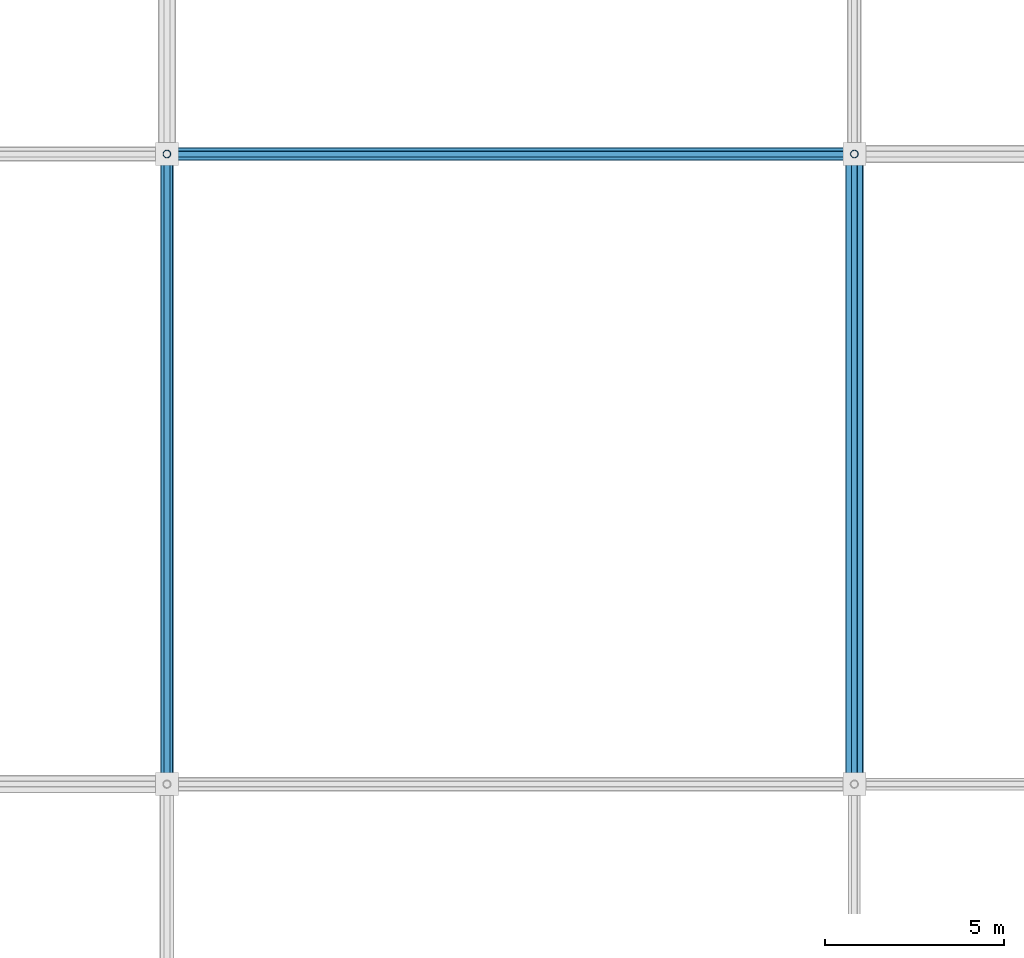
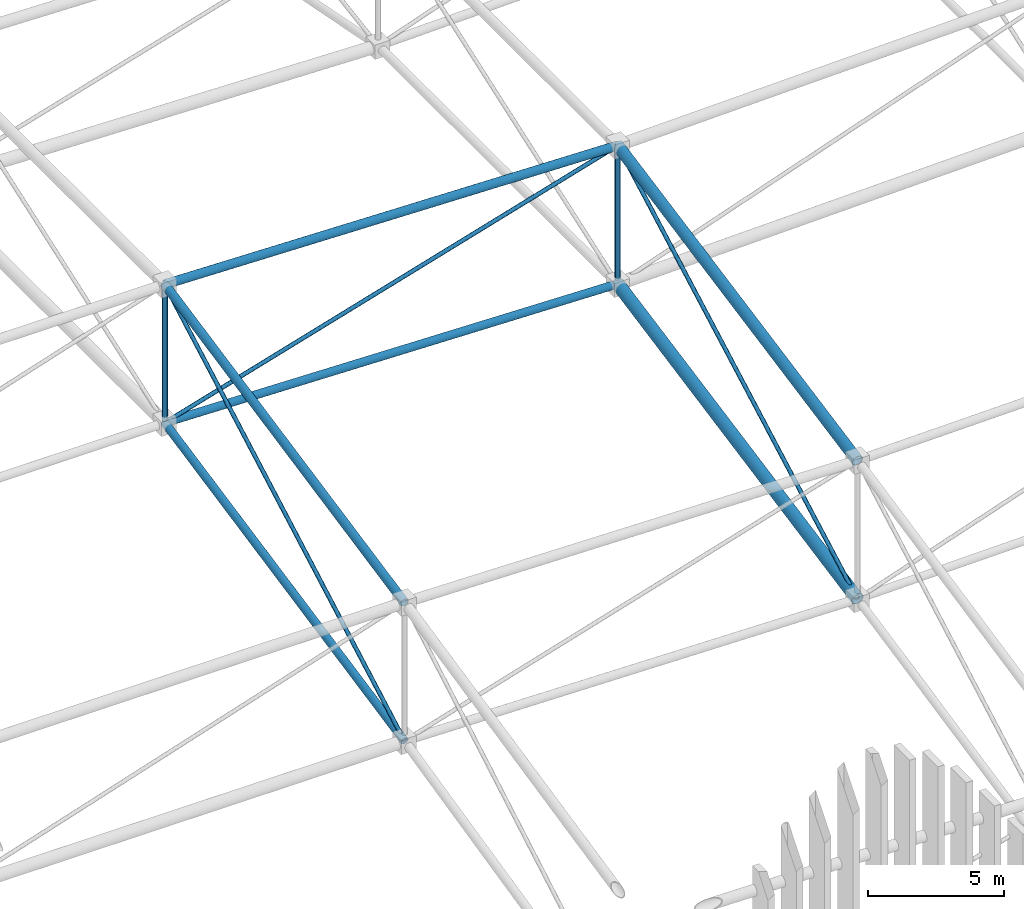
# One storey, part 54 of 193: 11 members.
"""IFC4 building model written with IfcOpenShell, lengths in metres."""

import ifcopenshell
import ifcopenshell.guid

model = None  # the IFC model being written
_history = None  # IfcOwnerHistory: only IFC2X3 demands one
_inside = {}  # id of a spatial element -> (the spatial element, [elements in it])
_under = {}  # id of a project, library or spatial element -> (it, [spatial elements below it])
_declared = {}  # id of a project -> (the project, [libraries it declares])
_typed = {}  # id of a type object -> (the type object, [elements of that type])
_made_of = {}  # id of a material, layer set ... -> (it, [elements and type objects made of it])


def new_model(schema):
    """Start an empty IFC model of exactly this schema.

    Asked for "IFC4X3", IfcOpenShell would pick the latest addendum, in which some entities
    have other attributes; the version numbers below select the first issue.
    IFC2X3 requires an IfcOwnerHistory on every rooted entity: one is made here for all.
    """
    global model, _history
    if schema == "IFC4X3":
        model = ifcopenshell.file(schema_version=(4, 3, 0, 0))
    else:
        model = ifcopenshell.file(schema=schema)
    _inside.clear()
    _under.clear()
    _declared.clear()
    _typed.clear()
    _made_of.clear()
    _history = None
    if model.schema == "IFC2X3":
        org = make("IfcOrganization", Name="unknown")
        user = make(
            "IfcPersonAndOrganization",
            ThePerson=make("IfcPerson", FamilyName="unknown"),
            TheOrganization=org,
        )
        app = make(
            "IfcApplication",
            ApplicationDeveloper=org,
            Version="unknown",
            ApplicationFullName="unknown",
            ApplicationIdentifier="unknown",
        )
        _history = make(
            "IfcOwnerHistory",
            OwningUser=user,
            OwningApplication=app,
            ChangeAction="ADDED",
            CreationDate=0,
        )
    return model


def make(cls, **values):
    """One entity of the class cls with the attributes given. An attribute that is None is left unset."""
    return model.create_entity(
        cls, **{name: value for name, value in values.items() if value is not None}
    )


def rooted(cls, **values):
    """An entity with a GlobalId (a new one), such as an element, a storey or a relation."""
    return make(cls, GlobalId=ifcopenshell.guid.new(), OwnerHistory=_history, **values)


def si_unit(unit_type, name, prefix=None):
    """IfcSIUnit, for example si_unit("LENGTHUNIT", "METRE", prefix="MILLI")."""
    return make("IfcSIUnit", UnitType=unit_type, Prefix=prefix, Name=name)


def assignment(units):
    """IfcUnitAssignment: the units of a project."""
    return None if units is None else make("IfcUnitAssignment", Units=units)


def point(xyz):
    """IfcCartesianPoint."""
    return None if xyz is None else make("IfcCartesianPoint", Coordinates=xyz)


def direction(xyz):
    """IfcDirection."""
    return None if xyz is None else make("IfcDirection", DirectionRatios=xyz)


def frame(location, z_axis=None, x_axis=None):
    """IfcAxis2Placement3D, a coordinate frame: its origin and axes. An axis left out is left unset."""
    return make(
        "IfcAxis2Placement3D",
        Location=point(location),
        Axis=direction(z_axis),
        RefDirection=direction(x_axis),
    )


def frame_2d(location, x_axis=None):
    """IfcAxis2Placement2D, a coordinate frame in the plane: its origin and x axis."""
    return make(
        "IfcAxis2Placement2D", Location=point(location), RefDirection=direction(x_axis)
    )


def origin():
    """The frame at (0, 0, 0) with its axes left unset."""
    return frame((0.0, 0.0, 0.0))


def origin_2d():
    """The frame at (0, 0) in the plane with its x axis left unset."""
    return frame_2d((0.0, 0.0))


def place(relative_to, where):
    """IfcLocalPlacement: puts the frame where relative to a parent placement (None: the world)."""
    return make(
        "IfcLocalPlacement", PlacementRelTo=relative_to, RelativePlacement=where
    )


def context(
    kind, dimensions, precision=None, world=None, true_north=None, identifier=None
):
    """IfcGeometricRepresentationContext, for example the 3D "Model" context."""
    return make(
        "IfcGeometricRepresentationContext",
        ContextIdentifier=identifier,
        ContextType=kind,
        CoordinateSpaceDimension=dimensions,
        Precision=precision,
        WorldCoordinateSystem=world,
        TrueNorth=true_north,
    )


def subcontext(parent, identifier, kind, view, scale=None):
    """IfcGeometricRepresentationSubContext, for example "Body" below "Model"."""
    return make(
        "IfcGeometricRepresentationSubContext",
        ContextIdentifier=identifier,
        ContextType=kind,
        ParentContext=parent,
        TargetScale=scale,
        TargetView=view,
    )


def project(units=None, contexts=None):
    """IfcProject with its units and contexts."""
    return rooted(
        "IfcProject",
        Name="project",
        RepresentationContexts=contexts,
        UnitsInContext=assignment(units),
    )


def spatial(cls, under=None, at=None, **own):
    """A site, building, storey or space (cls), placed at a placement, below another one or the project."""
    s = rooted(cls, ObjectPlacement=at, **own)
    if under is not None:
        _under.setdefault(under.id(), (under, []))[1].append(s)
    return s


def profile(cls, at=None, kind="AREA", **sizes):
    """A parametric profile (cls). Its sizes go by their IFC names, for example OverallWidth=200.0."""
    return make(cls, ProfileType=kind, Position=at, **sizes)


def hollow_circle(**sizes):
    """IfcCircleHollowProfileDef."""
    return profile("IfcCircleHollowProfileDef", **sizes)


def extrude(swept, where, along, depth):
    """IfcExtrudedAreaSolid: the profile swept, set in the frame where, extruded along a direction by depth."""
    return make(
        "IfcExtrudedAreaSolid",
        SweptArea=swept,
        Position=where,
        ExtrudedDirection=direction(along),
        Depth=depth,
    )


def shape(context_of_items, identifier, shape_type, items):
    """IfcShapeRepresentation: the items that make up one representation, for example the "Body"."""
    return make(
        "IfcShapeRepresentation",
        ContextOfItems=context_of_items,
        RepresentationIdentifier=identifier,
        RepresentationType=shape_type,
        Items=items,
    )


def material(Name=None, Category=None):
    """IfcMaterial."""
    return make("IfcMaterial", Name=Name, Category=Category)


def material_profile(
    of_material, cross_section, Name=None, Category=None, Priority=None
):
    """IfcMaterialProfile: a cross section and its material."""
    return make(
        "IfcMaterialProfile",
        Name=Name,
        Material=of_material,
        Profile=cross_section,
        Priority=Priority,
        Category=Category,
    )


def profile_set(profiles, Name=None, composite=None):
    """IfcMaterialProfileSet."""
    return make(
        "IfcMaterialProfileSet",
        Name=Name,
        MaterialProfiles=profiles,
        CompositeProfile=composite,
    )


def made_of(thing, what):
    """Note that an element or type object is made of a material, layer set ...; save() writes the relation."""
    if what is not None:
        _made_of.setdefault(what.id(), (what, []))[1].append(thing)
    return thing


def type_object(cls, material=None, **own):
    """A type object (cls), such as IfcWallType, which elements share."""
    return made_of(rooted(cls, **own), material)


def element(
    cls,
    number,
    at=None,
    inside=None,
    cuts=None,
    type_object=None,
    material=None,
    context=None,
    identifier="Body",
    shape_type=None,
    held_by="IfcProductDefinitionShape",
    body=None,
    shapes=None,
    **own,
):
    """One element of the class cls, such as IfcWall. Its Tag is "e" and its number.

    at: its placement. inside: the storey or other place that contains it. cuts: it is an
    opening in that element (IfcRelVoidsElement). A single representation is given by context,
    identifier, shape_type and body (its items); several are given by shapes. held_by: the class
    of the entity that holds the representations. save() writes the other relations.
    """
    e = rooted(cls, Tag="e%d" % number, ObjectPlacement=at, **own)
    if body is not None:
        shapes = [shape(context, identifier, shape_type, body)]
    if shapes is not None:
        e.Representation = make(held_by, Representations=shapes)
    if inside is not None:
        _inside.setdefault(inside.id(), (inside, []))[1].append(e)
    if cuts is not None:
        rooted(
            "IfcRelVoidsElement", RelatingBuildingElement=cuts, RelatedOpeningElement=e
        )
    if type_object is not None:
        _typed.setdefault(type_object.id(), (type_object, []))[1].append(e)
    return made_of(e, material)


def aggregate(whole, parts):
    """IfcRelAggregates: a whole, such as a stair, and the parts it consists of."""
    return rooted("IfcRelAggregates", RelatingObject=whole, RelatedObjects=parts)


def save(model, path):
    """Write the relations noted so far, then the file.

    IfcRelAggregates (storeys below a building ...), IfcRelContainedInSpatialStructure (elements
    in a storey), IfcRelDefinesByType, IfcRelAssociatesMaterial and IfcRelDeclares: one each for
    every whole, place, type object, material and project.
    """
    for whole, parts in _under.values():
        aggregate(whole, parts)
    for where, things in _inside.values():
        rooted(
            "IfcRelContainedInSpatialStructure",
            RelatedElements=things,
            RelatingStructure=where,
        )
    for kind, things in _typed.values():
        rooted("IfcRelDefinesByType", RelatedObjects=things, RelatingType=kind)
    for what, things in _made_of.values():
        rooted("IfcRelAssociatesMaterial", RelatedObjects=things, RelatingMaterial=what)
    for by, libraries in _declared.values():
        rooted("IfcRelDeclares", RelatingContext=by, RelatedDefinitions=libraries)
    model.write(path)


model = new_model("IFC4")

# Units and contexts
model_context = context("Model", 3, precision=1e-05, world=origin(), true_north=direction((0.0, 1.0)))
body_context = subcontext(model_context, "Body", "Model", "MODEL_VIEW")
ifc_project = project(units=[si_unit("LENGTHUNIT", "METRE"), si_unit("AREAUNIT", "SQUARE_METRE"), si_unit("VOLUMEUNIT", "CUBIC_METRE"), si_unit("PLANEANGLEUNIT", "RADIAN"), si_unit("MASSUNIT", "GRAM", prefix="KILO")], contexts=[model_context])

# Site, building, storey
site_placement = place(None, origin())
site = spatial("IfcSite", under=ifc_project, at=site_placement, CompositionType="ELEMENT")
building_placement = place(site_placement, origin())
building = spatial("IfcBuilding", under=site, at=building_placement, Name="Danafjord Basin Convention Centre", CompositionType="ELEMENT")
storey_placement = place(building_placement, frame((0.0, 0.0, 11.39990234375)))
storey = spatial("IfcBuildingStorey", under=building, at=storey_placement, Name="L02", CompositionType="ELEMENT", Elevation=11.39990234375)

# Members
ifc_material = material(Name="Steel S355", Category="steel")
ifc_material_profile_1 = material_profile(ifc_material, hollow_circle(Radius=0.161865234375, WallThickness=0.01611328125, at=origin_2d()), Name="CHS 323.9x16.0")
ifc_profile_set_1 = profile_set([ifc_material_profile_1], Name="Steel S355")
member_type_1 = type_object("IfcMemberType", Name="MEM-CH-CHS324", PredefinedType="CHORD", material=ifc_profile_set_1)
member_1_placement = place(storey_placement, frame((38.39990234375, 73.60009765625, 10.07080078125), z_axis=(0.0, 0.979881323985, 0.19958103844), x_axis=(-1.0, 0.0, 0.0)))
element("IfcMember", 1, at=member_1_placement, inside=storey, type_object=member_type_1, Name="V1 roof truss transverse bottom chord", PredefinedType="CHORD", context=body_context, shape_type="SweptSolid", body=[
    extrude(hollow_circle(Radius=0.161865234375, WallThickness=0.01611328125, at=origin_2d()), origin(), (0.0, 0.0, 1.0), 17.961181640625),
])
member_2_placement = place(storey_placement, frame((38.39990234375, 91.199951171875, 13.655517578125), z_axis=(0.999667678693, 0.0, -0.025778521596), x_axis=(0.0, 1.0, 0.0)))
element("IfcMember", 2, at=member_2_placement, inside=storey, type_object=member_type_1, Name="V1 roof truss longitudinal bottom chord", PredefinedType="CHORD", context=body_context, shape_type="SweptSolid", body=[
    extrude(hollow_circle(Radius=0.161865234375, WallThickness=0.01611328125, at=origin_2d()), origin(), (0.0, 0.0, 1.0), 19.20654296875),
])
ifc_material_profile_2 = material_profile(ifc_material, hollow_circle(Radius=0.177734375, WallThickness=0.01611328125, at=origin_2d()), Name="CHS 355.6x16.0")
ifc_profile_set_2 = profile_set([ifc_material_profile_2], Name="Steel S355")
member_type_2 = type_object("IfcMemberType", Name="MEM-CH-CHS355", PredefinedType="CHORD", material=ifc_profile_set_2)
member_3_placement = place(storey_placement, frame((38.39990234375, 73.60009765625, 16.27099609375), z_axis=(0.0, 0.979883982164, 0.199567987157), x_axis=(-1.0, 0.0, 0.0)))
element("IfcMember", 3, at=member_3_placement, inside=storey, type_object=member_type_2, Name="V1 roof truss transverse top chord", PredefinedType="CHORD", context=body_context, shape_type="SweptSolid", body=[
    extrude(hollow_circle(Radius=0.177734375, WallThickness=0.01611328125, at=origin_2d()), origin(), (0.0, 0.0, 1.0), 17.961181640625),
])
member_4_placement = place(storey_placement, frame((38.39990234375, 91.199951171875, 19.85546875), z_axis=(0.999668006183, 0.0, -0.025765818734), x_axis=(0.0, 1.0, 0.0)))
element("IfcMember", 4, at=member_4_placement, inside=storey, type_object=member_type_2, Name="V1 roof truss longitudinal top chord", PredefinedType="CHORD", context=body_context, shape_type="SweptSolid", body=[
    extrude(hollow_circle(Radius=0.177734375, WallThickness=0.01611328125, at=origin_2d()), origin(), (0.0, 0.0, 1.0), 19.20654296875),
])
ifc_material_profile_3 = material_profile(ifc_material, hollow_circle(Radius=0.228515625, WallThickness=0.02001953125, at=origin_2d()), Name="CHS 457.0x20.0")
ifc_profile_set_3 = profile_set([ifc_material_profile_3], Name="Steel S355")
member_type_3 = type_object("IfcMemberType", Name="MEM-CH-CHS457", PredefinedType="CHORD", material=ifc_profile_set_3)
member_5_placement = place(storey_placement, frame((57.60009765625, 73.60009765625, 15.910888671875), z_axis=(0.0, 0.981326851087, 0.192347631481), x_axis=(-1.0, 0.0, 0.0)))
element("IfcMember", 5, at=member_5_placement, inside=storey, type_object=member_type_3, Name="V1 roof truss transverse top chord", PredefinedType="CHORD", context=body_context, shape_type="SweptSolid", body=[
    extrude(hollow_circle(Radius=0.228515625, WallThickness=0.02001953125, at=origin_2d()), origin(), (0.0, 0.0, 1.0), 17.934814453125),
])
ifc_material_profile_4 = material_profile(ifc_material, hollow_circle(Radius=0.25390625, WallThickness=0.02490234375, at=origin_2d()), Name="CHS 508.0x25.0")
ifc_profile_set_4 = profile_set([ifc_material_profile_4], Name="Steel S355")
member_type_4 = type_object("IfcMemberType", Name="MEM-CH-CHS508", PredefinedType="CHORD", material=ifc_profile_set_4)
member_6_placement = place(storey_placement, frame((57.60009765625, 73.60009765625, 9.7109375), z_axis=(0.0, 0.981329420486, 0.192334522355), x_axis=(-1.0, 0.0, 0.0)))
element("IfcMember", 6, at=member_6_placement, inside=storey, type_object=member_type_4, Name="V1 roof truss transverse bottom chord", PredefinedType="CHORD", context=body_context, shape_type="SweptSolid", body=[
    extrude(hollow_circle(Radius=0.25390625, WallThickness=0.02490234375, at=origin_2d()), origin(), (0.0, 0.0, 1.0), 17.934814453125),
])
ifc_material_profile_5 = material_profile(ifc_material, hollow_circle(Radius=0.109619140625, WallThickness=0.010009765625, at=origin_2d()), Name="CHS 219.1x10.0")
ifc_profile_set_5 = profile_set([ifc_material_profile_5], Name="Steel S355")
member_type_5 = type_object("IfcMemberType", Name="MEM-ST-CHS219", PredefinedType="STRUT", material=ifc_profile_set_5)
member_7_placement = place(storey_placement, frame((38.39990234375, 91.199951171875, 13.655517578125), z_axis=(0.0, 0.0, 1.0), x_axis=(1.0, 0.0, 0.0)))
element("IfcMember", 7, at=member_7_placement, inside=storey, type_object=member_type_5, Name="V1 roof truss vertical strut", PredefinedType="STRUT", context=body_context, shape_type="SweptSolid", body=[
    extrude(hollow_circle(Radius=0.109619140625, WallThickness=0.010009765625, at=origin_2d()), origin(), (0.0, 0.0, 1.0), 6.199951171875),
])
member_8_placement = place(storey_placement, frame((57.60009765625, 91.199951171875, 13.160400390625), z_axis=(0.0, 0.0, 1.0), x_axis=(1.0, 0.0, 0.0)))
element("IfcMember", 8, at=member_8_placement, inside=storey, type_object=member_type_5, Name="V1 roof truss vertical strut", PredefinedType="STRUT", context=body_context, shape_type="SweptSolid", body=[
    extrude(hollow_circle(Radius=0.109619140625, WallThickness=0.010009765625, at=origin_2d()), origin(), (0.0, 0.0, 1.0), 6.2001953125),
])
ifc_material_profile_6 = material_profile(ifc_material, hollow_circle(Radius=0.084228515625, WallThickness=0.008056640625, at=origin_2d()), Name="CHS 168.3x8.0")
ifc_profile_set_6 = profile_set([ifc_material_profile_6], Name="Steel S355")
member_type_6 = type_object("IfcMemberType", Name="MEM-WB-CHS168", PredefinedType="MEMBER", material=ifc_profile_set_6)
member_9_placement = place(storey_placement, frame((38.39990234375, 73.60009765625, 10.07080078125), z_axis=(0.0, 0.874010260641, 0.485907464744), x_axis=(-1.0, 0.0, 0.0)))
element("IfcMember", 9, at=member_9_placement, inside=storey, type_object=member_type_6, Name="V1 space-frame transverse web", PredefinedType="MEMBER", context=body_context, shape_type="SweptSolid", body=[
    extrude(hollow_circle(Radius=0.084228515625, WallThickness=0.008056640625, at=origin_2d()), origin(), (0.0, 0.0, 1.0), 20.136962890625),
])
member_10_placement = place(storey_placement, frame((38.39990234375, 91.199951171875, 13.655517578125), z_axis=(0.958578458634, 0.0, 0.284828612753), x_axis=(0.0, 1.0, 0.0)))
element("IfcMember", 10, at=member_10_placement, inside=storey, type_object=member_type_6, Name="V1 space-frame longitudinal web", PredefinedType="MEMBER", context=body_context, shape_type="SweptSolid", body=[
    extrude(hollow_circle(Radius=0.084228515625, WallThickness=0.008056640625, at=origin_2d()), origin(), (0.0, 0.0, 1.0), 20.02978515625),
])
member_11_placement = place(storey_placement, frame((57.60009765625, 73.60009765625, 9.7109375), z_axis=(0.0, 0.876851776424, 0.48076081598), x_axis=(-1.0, 0.0, 0.0)))
element("IfcMember", 11, at=member_11_placement, inside=storey, type_object=member_type_6, Name="V1 space-frame transverse web", PredefinedType="MEMBER", context=body_context, shape_type="SweptSolid", body=[
    extrude(hollow_circle(Radius=0.084228515625, WallThickness=0.008056640625, at=origin_2d()), origin(), (0.0, 0.0, 1.0), 20.071533203125),
])

save(model, "model.ifc")
